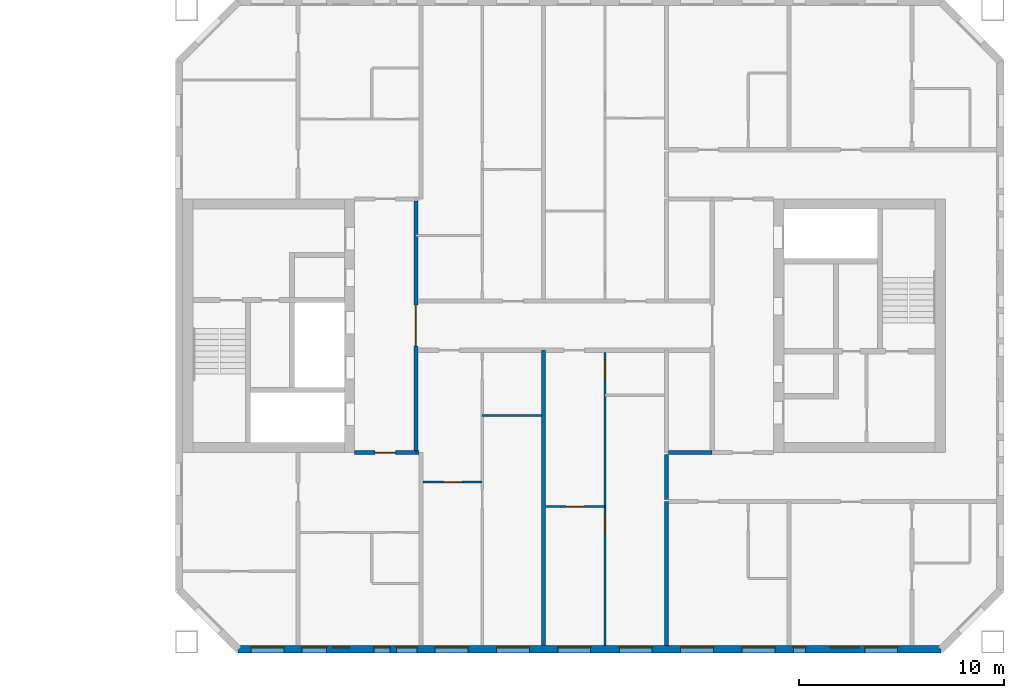
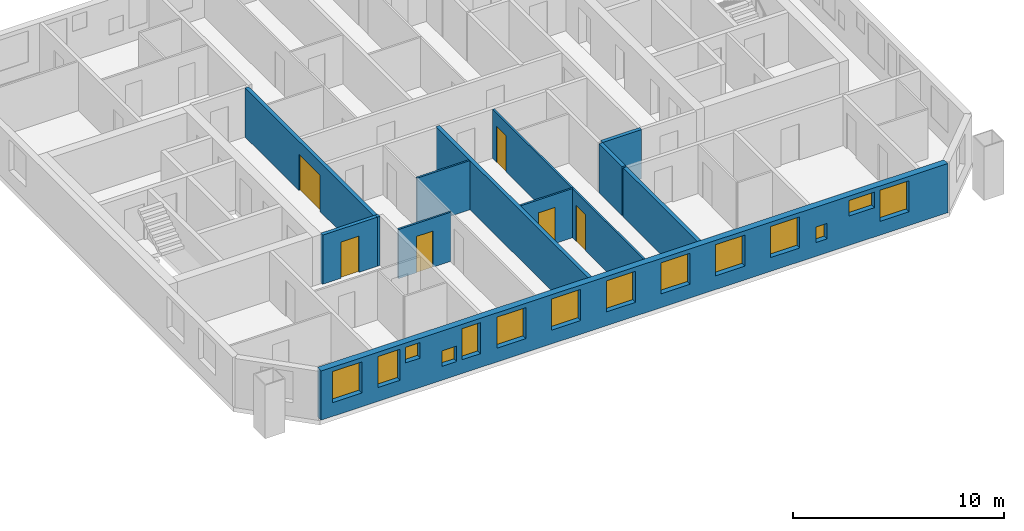
# One storey, part 9 of 15: 14 windows, 12 walls, 6 doors, 20 openings.
"""IFC4 building model written with IfcOpenShell, lengths in metres."""

import ifcopenshell
import ifcopenshell.guid

model = None  # the IFC model being written
_history = None  # IfcOwnerHistory: only IFC2X3 demands one
_inside = {}  # id of a spatial element -> (the spatial element, [elements in it])
_under = {}  # id of a project, library or spatial element -> (it, [spatial elements below it])
_declared = {}  # id of a project -> (the project, [libraries it declares])
_typed = {}  # id of a type object -> (the type object, [elements of that type])
_made_of = {}  # id of a material, layer set ... -> (it, [elements and type objects made of it])


def new_model(schema):
    """Start an empty IFC model of exactly this schema.

    Asked for "IFC4X3", IfcOpenShell would pick the latest addendum, in which some entities
    have other attributes; the version numbers below select the first issue.
    IFC2X3 requires an IfcOwnerHistory on every rooted entity: one is made here for all.
    """
    global model, _history
    if schema == "IFC4X3":
        model = ifcopenshell.file(schema_version=(4, 3, 0, 0))
    else:
        model = ifcopenshell.file(schema=schema)
    _inside.clear()
    _under.clear()
    _declared.clear()
    _typed.clear()
    _made_of.clear()
    _history = None
    if model.schema == "IFC2X3":
        org = make("IfcOrganization", Name="unknown")
        user = make(
            "IfcPersonAndOrganization",
            ThePerson=make("IfcPerson", FamilyName="unknown"),
            TheOrganization=org,
        )
        app = make(
            "IfcApplication",
            ApplicationDeveloper=org,
            Version="unknown",
            ApplicationFullName="unknown",
            ApplicationIdentifier="unknown",
        )
        _history = make(
            "IfcOwnerHistory",
            OwningUser=user,
            OwningApplication=app,
            ChangeAction="ADDED",
            CreationDate=0,
        )
    return model


def make(cls, **values):
    """One entity of the class cls with the attributes given. An attribute that is None is left unset."""
    return model.create_entity(
        cls, **{name: value for name, value in values.items() if value is not None}
    )


def rooted(cls, **values):
    """An entity with a GlobalId (a new one), such as an element, a storey or a relation."""
    return make(cls, GlobalId=ifcopenshell.guid.new(), OwnerHistory=_history, **values)


def si_unit(unit_type, name, prefix=None):
    """IfcSIUnit, for example si_unit("LENGTHUNIT", "METRE", prefix="MILLI")."""
    return make("IfcSIUnit", UnitType=unit_type, Prefix=prefix, Name=name)


def assignment(units):
    """IfcUnitAssignment: the units of a project."""
    return None if units is None else make("IfcUnitAssignment", Units=units)


def point(xyz):
    """IfcCartesianPoint."""
    return None if xyz is None else make("IfcCartesianPoint", Coordinates=xyz)


def direction(xyz):
    """IfcDirection."""
    return None if xyz is None else make("IfcDirection", DirectionRatios=xyz)


def frame(location, z_axis=None, x_axis=None):
    """IfcAxis2Placement3D, a coordinate frame: its origin and axes. An axis left out is left unset."""
    return make(
        "IfcAxis2Placement3D",
        Location=point(location),
        Axis=direction(z_axis),
        RefDirection=direction(x_axis),
    )


def frame_2d(location, x_axis=None):
    """IfcAxis2Placement2D, a coordinate frame in the plane: its origin and x axis."""
    return make(
        "IfcAxis2Placement2D", Location=point(location), RefDirection=direction(x_axis)
    )


def origin():
    """The frame at (0, 0, 0) with its axes left unset."""
    return frame((0.0, 0.0, 0.0))


def place(relative_to, where):
    """IfcLocalPlacement: puts the frame where relative to a parent placement (None: the world)."""
    return make(
        "IfcLocalPlacement", PlacementRelTo=relative_to, RelativePlacement=where
    )


def context(
    kind, dimensions, precision=None, world=None, true_north=None, identifier=None
):
    """IfcGeometricRepresentationContext, for example the 3D "Model" context."""
    return make(
        "IfcGeometricRepresentationContext",
        ContextIdentifier=identifier,
        ContextType=kind,
        CoordinateSpaceDimension=dimensions,
        Precision=precision,
        WorldCoordinateSystem=world,
        TrueNorth=true_north,
    )


def subcontext(parent, identifier, kind, view, scale=None):
    """IfcGeometricRepresentationSubContext, for example "Body" below "Model"."""
    return make(
        "IfcGeometricRepresentationSubContext",
        ContextIdentifier=identifier,
        ContextType=kind,
        ParentContext=parent,
        TargetScale=scale,
        TargetView=view,
    )


def project(units=None, contexts=None):
    """IfcProject with its units and contexts."""
    return rooted(
        "IfcProject",
        Name="project",
        RepresentationContexts=contexts,
        UnitsInContext=assignment(units),
    )


def spatial(cls, under=None, at=None, **own):
    """A site, building, storey or space (cls), placed at a placement, below another one or the project."""
    s = rooted(cls, ObjectPlacement=at, **own)
    if under is not None:
        _under.setdefault(under.id(), (under, []))[1].append(s)
    return s


def profile(cls, at=None, kind="AREA", **sizes):
    """A parametric profile (cls). Its sizes go by their IFC names, for example OverallWidth=200.0."""
    return make(cls, ProfileType=kind, Position=at, **sizes)


def rectangle(**sizes):
    """IfcRectangleProfileDef."""
    return profile("IfcRectangleProfileDef", **sizes)


def extrude(swept, where, along, depth):
    """IfcExtrudedAreaSolid: the profile swept, set in the frame where, extruded along a direction by depth."""
    return make(
        "IfcExtrudedAreaSolid",
        SweptArea=swept,
        Position=where,
        ExtrudedDirection=direction(along),
        Depth=depth,
    )


def shape(context_of_items, identifier, shape_type, items):
    """IfcShapeRepresentation: the items that make up one representation, for example the "Body"."""
    return make(
        "IfcShapeRepresentation",
        ContextOfItems=context_of_items,
        RepresentationIdentifier=identifier,
        RepresentationType=shape_type,
        Items=items,
    )


def material(Name=None, Category=None):
    """IfcMaterial."""
    return make("IfcMaterial", Name=Name, Category=Category)


def layer(
    of_material, thickness, ventilated=None, Name=None, Category=None, Priority=None
):
    """IfcMaterialLayer: one layer of a wall or slab, of a material (None: an air gap)."""
    return make(
        "IfcMaterialLayer",
        Material=of_material,
        LayerThickness=thickness,
        IsVentilated=ventilated,
        Name=Name,
        Category=Category,
        Priority=Priority,
    )


def layer_set(layers, Name=None):
    """IfcMaterialLayerSet."""
    return make("IfcMaterialLayerSet", MaterialLayers=layers, LayerSetName=Name)


def made_of(thing, what):
    """Note that an element or type object is made of a material, layer set ...; save() writes the relation."""
    if what is not None:
        _made_of.setdefault(what.id(), (what, []))[1].append(thing)
    return thing


def type_object(cls, material=None, **own):
    """A type object (cls), such as IfcWallType, which elements share."""
    return made_of(rooted(cls, **own), material)


def element(
    cls,
    number,
    at=None,
    inside=None,
    cuts=None,
    type_object=None,
    material=None,
    context=None,
    identifier="Body",
    shape_type=None,
    held_by="IfcProductDefinitionShape",
    body=None,
    shapes=None,
    **own,
):
    """One element of the class cls, such as IfcWall. Its Tag is "e" and its number.

    at: its placement. inside: the storey or other place that contains it. cuts: it is an
    opening in that element (IfcRelVoidsElement). A single representation is given by context,
    identifier, shape_type and body (its items); several are given by shapes. held_by: the class
    of the entity that holds the representations. save() writes the other relations.
    """
    e = rooted(cls, Tag="e%d" % number, ObjectPlacement=at, **own)
    if body is not None:
        shapes = [shape(context, identifier, shape_type, body)]
    if shapes is not None:
        e.Representation = make(held_by, Representations=shapes)
    if inside is not None:
        _inside.setdefault(inside.id(), (inside, []))[1].append(e)
    if cuts is not None:
        rooted(
            "IfcRelVoidsElement", RelatingBuildingElement=cuts, RelatedOpeningElement=e
        )
    if type_object is not None:
        _typed.setdefault(type_object.id(), (type_object, []))[1].append(e)
    return made_of(e, material)


def fill(opening, filler):
    """IfcRelFillsElement: the door or window that sits in an opening."""
    return rooted(
        "IfcRelFillsElement",
        RelatingOpeningElement=opening,
        RelatedBuildingElement=filler,
    )


def aggregate(whole, parts):
    """IfcRelAggregates: a whole, such as a stair, and the parts it consists of."""
    return rooted("IfcRelAggregates", RelatingObject=whole, RelatedObjects=parts)


def save(model, path):
    """Write the relations noted so far, then the file.

    IfcRelAggregates (storeys below a building ...), IfcRelContainedInSpatialStructure (elements
    in a storey), IfcRelDefinesByType, IfcRelAssociatesMaterial and IfcRelDeclares: one each for
    every whole, place, type object, material and project.
    """
    for whole, parts in _under.values():
        aggregate(whole, parts)
    for where, things in _inside.values():
        rooted(
            "IfcRelContainedInSpatialStructure",
            RelatedElements=things,
            RelatingStructure=where,
        )
    for kind, things in _typed.values():
        rooted("IfcRelDefinesByType", RelatedObjects=things, RelatingType=kind)
    for what, things in _made_of.values():
        rooted("IfcRelAssociatesMaterial", RelatedObjects=things, RelatingMaterial=what)
    for by, libraries in _declared.values():
        rooted("IfcRelDeclares", RelatingContext=by, RelatedDefinitions=libraries)
    model.write(path)


model = new_model("IFC4")

# Units and contexts
model_context = context("Model", 3, precision=1e-05, world=origin(), true_north=direction((0.0, 1.0)))
body_context = subcontext(model_context, "Body", "Model", "MODEL_VIEW")
ifc_project = project(units=[si_unit("LENGTHUNIT", "METRE"), si_unit("AREAUNIT", "SQUARE_METRE"), si_unit("VOLUMEUNIT", "CUBIC_METRE"), si_unit("PLANEANGLEUNIT", "RADIAN"), si_unit("MASSUNIT", "GRAM", prefix="KILO")], contexts=[model_context])

# Site, building, storey
site_placement = place(None, origin())
site = spatial("IfcSite", under=ifc_project, at=site_placement, CompositionType="ELEMENT")
building_placement = place(site_placement, origin())
building = spatial("IfcBuilding", under=site, at=building_placement, Name="Tuart Gate Housing", CompositionType="ELEMENT")
storey_placement = place(building_placement, frame((0.0, 0.0, 154.699951171875)))
storey = spatial("IfcBuildingStorey", under=building, at=storey_placement, Name="L43", CompositionType="ELEMENT", Elevation=154.699951171875)

# Wall, openings, windows
ifc_material_1 = material(Name="Brick", Category="masonry")
ifc_layer_1 = layer(ifc_material_1, 0.360107421875)
ifc_layer_set_1 = layer_set([ifc_layer_1], Name="Brick pier and spandrel wall 360")
wall_type_1 = type_object("IfcWallType", Name="Brick pier and spandrel wall 360", PredefinedType="STANDARD", material=ifc_layer_set_1)
wall_1_placement = place(storey_placement, frame((134.07470703125, 54.179931640625, 0.0), z_axis=(0.0, 0.0, 1.0), x_axis=(1.0, 0.0, 0.0)))
wall_1 = element("IfcWall", 1, at=wall_1_placement, inside=storey, type_object=wall_type_1, Name="External wall B-S L43", PredefinedType="STANDARD", context=body_context, shape_type="SweptSolid", body=[
    extrude(rectangle(XDim=34.350830078125, YDim=0.360107421875, at=frame_2d((17.17529296875, 0.0))), origin(), (0.0, 0.0, 1.0), 2.85009765625),
])
opening_1_placement = place(wall_1_placement, frame((0.62548828125, 0.0, 0.800048828125)))
opening_1 = element("IfcOpeningElement", 2, at=opening_1_placement, cuts=wall_1, Name="Opening W1", PredefinedType="OPENING", context=body_context, shape_type="SweptSolid", body=[
    extrude(rectangle(XDim=1.60009765625, YDim=1.800048828125, at=frame_2d((0.800048828125, 0.89990234375))), frame((0.0, 0.18994140625, 0.0), z_axis=(0.0, -1.0, 0.0), x_axis=(1.0, 0.0, 0.0)), (0.0, 0.0, 1.0), 0.380126953125),
])
opening_2_placement = place(wall_1_placement, frame((3.12548828125, 0.0, 0.800048828125)))
opening_2 = element("IfcOpeningElement", 3, at=opening_2_placement, cuts=wall_1, Name="Opening W1B", PredefinedType="OPENING", context=body_context, shape_type="SweptSolid", body=[
    extrude(rectangle(XDim=1.199951171875, YDim=1.800048828125, at=frame_2d((0.60009765625, 0.89990234375))), frame((0.0, 0.18994140625, 0.0), z_axis=(0.0, -1.0, 0.0), x_axis=(1.0, 0.0, 0.0)), (0.0, 0.0, 1.0), 0.380126953125),
])
opening_3_placement = place(wall_1_placement, frame((4.62548828125, 0.0, 1.699951171875)))
opening_3 = element("IfcOpeningElement", 4, at=opening_3_placement, cuts=wall_1, Name="Opening W1V", PredefinedType="OPENING", context=body_context, shape_type="SweptSolid", body=[
    extrude(rectangle(XDim=0.800048828125, YDim=0.89990234375, at=frame_2d((0.39990234375, 0.449951171875))), frame((0.0, 0.18994140625, 0.0), z_axis=(0.0, -1.0, 0.0), x_axis=(1.0, 0.0, 0.0)), (0.0, 0.0, 1.0), 0.380126953125),
])
opening_4_placement = place(wall_1_placement, frame((9.62548828125, 0.0, 0.800048828125)))
opening_4 = element("IfcOpeningElement", 5, at=opening_4_placement, cuts=wall_1, Name="Opening W1", PredefinedType="OPENING", context=body_context, shape_type="SweptSolid", body=[
    extrude(rectangle(XDim=1.60009765625, YDim=1.800048828125, at=frame_2d((0.800048828125, 0.89990234375))), frame((0.0, 0.18994140625, 0.0), z_axis=(0.0, -1.0, 0.0), x_axis=(1.0, 0.0, 0.0)), (0.0, 0.0, 1.0), 0.380126953125),
])
opening_5_placement = place(wall_1_placement, frame((12.62548828125, 0.0, 0.800048828125)))
opening_5 = element("IfcOpeningElement", 6, at=opening_5_placement, cuts=wall_1, Name="Opening W1", PredefinedType="OPENING", context=body_context, shape_type="SweptSolid", body=[
    extrude(rectangle(XDim=1.60009765625, YDim=1.800048828125, at=frame_2d((0.800048828125, 0.89990234375))), frame((0.0, 0.18994140625, 0.0), z_axis=(0.0, -1.0, 0.0), x_axis=(1.0, 0.0, 0.0)), (0.0, 0.0, 1.0), 0.380126953125),
])
opening_6_placement = place(wall_1_placement, frame((15.62548828125, 0.0, 0.800048828125)))
opening_6 = element("IfcOpeningElement", 7, at=opening_6_placement, cuts=wall_1, Name="Opening W1", PredefinedType="OPENING", context=body_context, shape_type="SweptSolid", body=[
    extrude(rectangle(XDim=1.60009765625, YDim=1.800048828125, at=frame_2d((0.800048828125, 0.89990234375))), frame((0.0, 0.18994140625, 0.0), z_axis=(0.0, -1.0, 0.0), x_axis=(1.0, 0.0, 0.0)), (0.0, 0.0, 1.0), 0.380126953125),
])
opening_7_placement = place(wall_1_placement, frame((18.62548828125, 0.0, 0.800048828125)))
opening_7 = element("IfcOpeningElement", 8, at=opening_7_placement, cuts=wall_1, Name="Opening W1", PredefinedType="OPENING", context=body_context, shape_type="SweptSolid", body=[
    extrude(rectangle(XDim=1.60009765625, YDim=1.800048828125, at=frame_2d((0.800048828125, 0.89990234375))), frame((0.0, 0.18994140625, 0.0), z_axis=(0.0, -1.0, 0.0), x_axis=(1.0, 0.0, 0.0)), (0.0, 0.0, 1.0), 0.380126953125),
])
opening_8_placement = place(wall_1_placement, frame((21.62548828125, 0.0, 0.800048828125)))
opening_8 = element("IfcOpeningElement", 9, at=opening_8_placement, cuts=wall_1, Name="Opening W1", PredefinedType="OPENING", context=body_context, shape_type="SweptSolid", body=[
    extrude(rectangle(XDim=1.60009765625, YDim=1.800048828125, at=frame_2d((0.800048828125, 0.89990234375))), frame((0.0, 0.18994140625, 0.0), z_axis=(0.0, -1.0, 0.0), x_axis=(1.0, 0.0, 0.0)), (0.0, 0.0, 1.0), 0.380126953125),
])
opening_9_placement = place(wall_1_placement, frame((24.62548828125, 0.0, 0.800048828125)))
opening_9 = element("IfcOpeningElement", 10, at=opening_9_placement, cuts=wall_1, Name="Opening W1", PredefinedType="OPENING", context=body_context, shape_type="SweptSolid", body=[
    extrude(rectangle(XDim=1.60009765625, YDim=1.800048828125, at=frame_2d((0.800048828125, 0.89990234375))), frame((0.0, 0.18994140625, 0.0), z_axis=(0.0, -1.0, 0.0), x_axis=(1.0, 0.0, 0.0)), (0.0, 0.0, 1.0), 0.380126953125),
])
opening_10_placement = place(wall_1_placement, frame((27.12548828125, 0.0, 0.800048828125)))
opening_10 = element("IfcOpeningElement", 11, at=opening_10_placement, cuts=wall_1, Name="Opening W1W", PredefinedType="OPENING", context=body_context, shape_type="SweptSolid", body=[
    extrude(rectangle(XDim=0.60009765625, YDim=0.89990234375, at=frame_2d((0.300048828125, 0.449951171875))), frame((0.0, 0.18994140625, 0.0), z_axis=(0.0, -1.0, 0.0), x_axis=(1.0, 0.0, 0.0)), (0.0, 0.0, 1.0), 0.380126953125),
])
opening_11_placement = place(wall_1_placement, frame((30.62548828125, 0.0, 0.800048828125)))
opening_11 = element("IfcOpeningElement", 12, at=opening_11_placement, cuts=wall_1, Name="Opening W1", PredefinedType="OPENING", context=body_context, shape_type="SweptSolid", body=[
    extrude(rectangle(XDim=1.60009765625, YDim=1.800048828125, at=frame_2d((0.800048828125, 0.89990234375))), frame((0.0, 0.18994140625, 0.0), z_axis=(0.0, -1.0, 0.0), x_axis=(1.0, 0.0, 0.0)), (0.0, 0.0, 1.0), 0.380126953125),
])
opening_12_placement = place(wall_1_placement, frame((6.62548828125, 0.0, 0.800048828125)))
opening_12 = element("IfcOpeningElement", 13, at=opening_12_placement, cuts=wall_1, Name="Opening W1V", PredefinedType="OPENING", context=body_context, shape_type="SweptSolid", body=[
    extrude(rectangle(XDim=0.800048828125, YDim=0.89990234375, at=frame_2d((0.39990234375, 0.449951171875))), frame((0.0, 0.18994140625, 0.0), z_axis=(0.0, -1.0, 0.0), x_axis=(1.0, 0.0, 0.0)), (0.0, 0.0, 1.0), 0.380126953125),
])
opening_13_placement = place(wall_1_placement, frame((7.725341796875, 0.0, 0.800048828125)))
opening_13 = element("IfcOpeningElement", 14, at=opening_13_placement, cuts=wall_1, Name="Opening W1C", PredefinedType="OPENING", context=body_context, shape_type="SweptSolid", body=[
    extrude(rectangle(XDim=1.0, YDim=1.800048828125, at=frame_2d((0.5, 0.89990234375))), frame((0.0, 0.18994140625, 0.0), z_axis=(0.0, -1.0, 0.0), x_axis=(1.0, 0.0, 0.0)), (0.0, 0.0, 1.0), 0.380126953125),
])
opening_14_placement = place(wall_1_placement, frame((28.92529296875, 0.0, 1.699951171875)))
opening_14 = element("IfcOpeningElement", 15, at=opening_14_placement, cuts=wall_1, Name="Opening W1S", PredefinedType="OPENING", context=body_context, shape_type="SweptSolid", body=[
    extrude(rectangle(XDim=1.39990234375, YDim=0.89990234375, at=frame_2d((0.699951171875, 0.449951171875))), frame((0.0, 0.18994140625, 0.0), z_axis=(0.0, -1.0, 0.0), x_axis=(1.0, 0.0, 0.0)), (0.0, 0.0, 1.0), 0.380126953125),
])
ifc_material_2 = material(Name="Aluminium frame with clear glass", Category="aluminium")
window_type_1 = type_object("IfcWindowType", Name="Punched window 1000 x 1800", PartitioningType="SINGLE_PANEL", PredefinedType="WINDOW", material=ifc_material_2)
window_1_placement = place(opening_13_placement, origin())
window_1 = element("IfcWindow", 16, at=window_1_placement, inside=storey, type_object=window_type_1, Name="Window W1C", OverallHeight=1.800048828125, OverallWidth=1.0, PartitioningType="SINGLE_PANEL", PredefinedType="WINDOW", context=body_context, shape_type="SweptSolid", body=[
    extrude(rectangle(XDim=1.0, YDim=1.800048828125, at=frame_2d((0.5, 0.89990234375))), frame((0.0, 0.150146484375, 0.0), z_axis=(0.0, -1.0, 0.0), x_axis=(1.0, 0.0, 0.0)), (0.0, 0.0, 1.0), 0.06005859375),
])
fill(opening_13, window_1)
ifc_material_3 = material(Name="Aluminium frame with clear glass", Category="aluminium")
window_type_2 = type_object("IfcWindowType", Name="Punched window 1200 x 1800", PartitioningType="SINGLE_PANEL", PredefinedType="WINDOW", material=ifc_material_3)
window_2_placement = place(opening_2_placement, origin())
window_2 = element("IfcWindow", 17, at=window_2_placement, inside=storey, type_object=window_type_2, Name="Window W1B", OverallHeight=1.800048828125, OverallWidth=1.199951171875, PartitioningType="SINGLE_PANEL", PredefinedType="WINDOW", context=body_context, shape_type="SweptSolid", body=[
    extrude(rectangle(XDim=1.199951171875, YDim=1.800048828125, at=frame_2d((0.60009765625, 0.89990234375))), frame((0.0, 0.150146484375, 0.0), z_axis=(0.0, -1.0, 0.0), x_axis=(1.0, 0.0, 0.0)), (0.0, 0.0, 1.0), 0.06005859375),
])
fill(opening_2, window_2)
ifc_material_4 = material(Name="Aluminium frame with clear glass", Category="aluminium")
window_type_3 = type_object("IfcWindowType", Name="Punched window 1400 x 900", PartitioningType="SINGLE_PANEL", PredefinedType="WINDOW", material=ifc_material_4)
window_3_placement = place(opening_14_placement, origin())
window_3 = element("IfcWindow", 18, at=window_3_placement, inside=storey, type_object=window_type_3, Name="Window W1S", OverallHeight=0.89990234375, OverallWidth=1.39990234375, PartitioningType="SINGLE_PANEL", PredefinedType="WINDOW", context=body_context, shape_type="SweptSolid", body=[
    extrude(rectangle(XDim=1.39990234375, YDim=0.89990234375, at=frame_2d((0.699951171875, 0.449951171875))), frame((0.0, 0.150146484375, 0.0), z_axis=(0.0, -1.0, 0.0), x_axis=(1.0, 0.0, 0.0)), (0.0, 0.0, 1.0), 0.06005859375),
])
fill(opening_14, window_3)
ifc_material_5 = material(Name="Aluminium frame with clear glass", Category="aluminium")
window_type_4 = type_object("IfcWindowType", Name="Punched window 1600 x 1800", PartitioningType="SINGLE_PANEL", PredefinedType="WINDOW", material=ifc_material_5)
window_4_placement = place(opening_1_placement, origin())
window_4 = element("IfcWindow", 19, at=window_4_placement, inside=storey, type_object=window_type_4, Name="Window W1", OverallHeight=1.800048828125, OverallWidth=1.60009765625, PartitioningType="SINGLE_PANEL", PredefinedType="WINDOW", context=body_context, shape_type="SweptSolid", body=[
    extrude(rectangle(XDim=1.60009765625, YDim=1.800048828125, at=frame_2d((0.800048828125, 0.89990234375))), frame((0.0, 0.150146484375, 0.0), z_axis=(0.0, -1.0, 0.0), x_axis=(1.0, 0.0, 0.0)), (0.0, 0.0, 1.0), 0.06005859375),
])
fill(opening_1, window_4)
window_5_placement = place(opening_4_placement, origin())
window_5 = element("IfcWindow", 20, at=window_5_placement, inside=storey, type_object=window_type_4, Name="Window W1", OverallHeight=1.800048828125, OverallWidth=1.60009765625, PartitioningType="SINGLE_PANEL", PredefinedType="WINDOW", context=body_context, shape_type="SweptSolid", body=[
    extrude(rectangle(XDim=1.60009765625, YDim=1.800048828125, at=frame_2d((0.800048828125, 0.89990234375))), frame((0.0, 0.150146484375, 0.0), z_axis=(0.0, -1.0, 0.0), x_axis=(1.0, 0.0, 0.0)), (0.0, 0.0, 1.0), 0.06005859375),
])
fill(opening_4, window_5)
window_6_placement = place(opening_5_placement, origin())
window_6 = element("IfcWindow", 21, at=window_6_placement, inside=storey, type_object=window_type_4, Name="Window W1", OverallHeight=1.800048828125, OverallWidth=1.60009765625, PartitioningType="SINGLE_PANEL", PredefinedType="WINDOW", context=body_context, shape_type="SweptSolid", body=[
    extrude(rectangle(XDim=1.60009765625, YDim=1.800048828125, at=frame_2d((0.800048828125, 0.89990234375))), frame((0.0, 0.150146484375, 0.0), z_axis=(0.0, -1.0, 0.0), x_axis=(1.0, 0.0, 0.0)), (0.0, 0.0, 1.0), 0.06005859375),
])
fill(opening_5, window_6)
window_7_placement = place(opening_6_placement, origin())
window_7 = element("IfcWindow", 22, at=window_7_placement, inside=storey, type_object=window_type_4, Name="Window W1", OverallHeight=1.800048828125, OverallWidth=1.60009765625, PartitioningType="SINGLE_PANEL", PredefinedType="WINDOW", context=body_context, shape_type="SweptSolid", body=[
    extrude(rectangle(XDim=1.60009765625, YDim=1.800048828125, at=frame_2d((0.800048828125, 0.89990234375))), frame((0.0, 0.150146484375, 0.0), z_axis=(0.0, -1.0, 0.0), x_axis=(1.0, 0.0, 0.0)), (0.0, 0.0, 1.0), 0.06005859375),
])
fill(opening_6, window_7)
window_8_placement = place(opening_7_placement, origin())
window_8 = element("IfcWindow", 23, at=window_8_placement, inside=storey, type_object=window_type_4, Name="Window W1", OverallHeight=1.800048828125, OverallWidth=1.60009765625, PartitioningType="SINGLE_PANEL", PredefinedType="WINDOW", context=body_context, shape_type="SweptSolid", body=[
    extrude(rectangle(XDim=1.60009765625, YDim=1.800048828125, at=frame_2d((0.800048828125, 0.89990234375))), frame((0.0, 0.150146484375, 0.0), z_axis=(0.0, -1.0, 0.0), x_axis=(1.0, 0.0, 0.0)), (0.0, 0.0, 1.0), 0.06005859375),
])
fill(opening_7, window_8)
window_9_placement = place(opening_8_placement, origin())
window_9 = element("IfcWindow", 24, at=window_9_placement, inside=storey, type_object=window_type_4, Name="Window W1", OverallHeight=1.800048828125, OverallWidth=1.60009765625, PartitioningType="SINGLE_PANEL", PredefinedType="WINDOW", context=body_context, shape_type="SweptSolid", body=[
    extrude(rectangle(XDim=1.60009765625, YDim=1.800048828125, at=frame_2d((0.800048828125, 0.89990234375))), frame((0.0, 0.150146484375, 0.0), z_axis=(0.0, -1.0, 0.0), x_axis=(1.0, 0.0, 0.0)), (0.0, 0.0, 1.0), 0.06005859375),
])
fill(opening_8, window_9)
window_10_placement = place(opening_9_placement, origin())
window_10 = element("IfcWindow", 25, at=window_10_placement, inside=storey, type_object=window_type_4, Name="Window W1", OverallHeight=1.800048828125, OverallWidth=1.60009765625, PartitioningType="SINGLE_PANEL", PredefinedType="WINDOW", context=body_context, shape_type="SweptSolid", body=[
    extrude(rectangle(XDim=1.60009765625, YDim=1.800048828125, at=frame_2d((0.800048828125, 0.89990234375))), frame((0.0, 0.150146484375, 0.0), z_axis=(0.0, -1.0, 0.0), x_axis=(1.0, 0.0, 0.0)), (0.0, 0.0, 1.0), 0.06005859375),
])
fill(opening_9, window_10)
window_11_placement = place(opening_11_placement, origin())
window_11 = element("IfcWindow", 26, at=window_11_placement, inside=storey, type_object=window_type_4, Name="Window W1", OverallHeight=1.800048828125, OverallWidth=1.60009765625, PartitioningType="SINGLE_PANEL", PredefinedType="WINDOW", context=body_context, shape_type="SweptSolid", body=[
    extrude(rectangle(XDim=1.60009765625, YDim=1.800048828125, at=frame_2d((0.800048828125, 0.89990234375))), frame((0.0, 0.150146484375, 0.0), z_axis=(0.0, -1.0, 0.0), x_axis=(1.0, 0.0, 0.0)), (0.0, 0.0, 1.0), 0.06005859375),
])
fill(opening_11, window_11)
ifc_material_6 = material(Name="Aluminium frame with clear glass", Category="aluminium")
window_type_5 = type_object("IfcWindowType", Name="Punched window 600 x 900", PartitioningType="SINGLE_PANEL", PredefinedType="WINDOW", material=ifc_material_6)
window_12_placement = place(opening_10_placement, origin())
window_12 = element("IfcWindow", 27, at=window_12_placement, inside=storey, type_object=window_type_5, Name="Window W1W", OverallHeight=0.89990234375, OverallWidth=0.60009765625, PartitioningType="SINGLE_PANEL", PredefinedType="WINDOW", context=body_context, shape_type="SweptSolid", body=[
    extrude(rectangle(XDim=0.60009765625, YDim=0.89990234375, at=frame_2d((0.300048828125, 0.449951171875))), frame((0.0, 0.150146484375, 0.0), z_axis=(0.0, -1.0, 0.0), x_axis=(1.0, 0.0, 0.0)), (0.0, 0.0, 1.0), 0.06005859375),
])
fill(opening_10, window_12)
ifc_material_7 = material(Name="Aluminium frame with clear glass", Category="aluminium")
window_type_6 = type_object("IfcWindowType", Name="Punched window 800 x 900", PartitioningType="SINGLE_PANEL", PredefinedType="WINDOW", material=ifc_material_7)
window_13_placement = place(opening_3_placement, origin())
window_13 = element("IfcWindow", 28, at=window_13_placement, inside=storey, type_object=window_type_6, Name="Window W1V", OverallHeight=0.89990234375, OverallWidth=0.800048828125, PartitioningType="SINGLE_PANEL", PredefinedType="WINDOW", context=body_context, shape_type="SweptSolid", body=[
    extrude(rectangle(XDim=0.800048828125, YDim=0.89990234375, at=frame_2d((0.39990234375, 0.449951171875))), frame((0.0, 0.150146484375, 0.0), z_axis=(0.0, -1.0, 0.0), x_axis=(1.0, 0.0, 0.0)), (0.0, 0.0, 1.0), 0.06005859375),
])
fill(opening_3, window_13)
window_14_placement = place(opening_12_placement, origin())
window_14 = element("IfcWindow", 29, at=window_14_placement, inside=storey, type_object=window_type_6, Name="Window W1V", OverallHeight=0.89990234375, OverallWidth=0.800048828125, PartitioningType="SINGLE_PANEL", PredefinedType="WINDOW", context=body_context, shape_type="SweptSolid", body=[
    extrude(rectangle(XDim=0.800048828125, YDim=0.89990234375, at=frame_2d((0.39990234375, 0.449951171875))), frame((0.0, 0.150146484375, 0.0), z_axis=(0.0, -1.0, 0.0), x_axis=(1.0, 0.0, 0.0)), (0.0, 0.0, 1.0), 0.06005859375),
])
fill(opening_12, window_14)

# Walls
ifc_material_8 = material(Name="Concrete masonry 15 MPa", Category="masonry")
ifc_layer_2 = layer(ifc_material_8, 0.199951171875)
ifc_layer_set_2 = layer_set([ifc_layer_2], Name="Corridor wall masonry 200")
wall_type_2 = type_object("IfcWallType", Name="Corridor wall masonry 200", PredefinedType="PARTITIONING", material=ifc_layer_set_2)
wall_2_placement = place(storey_placement, frame((155.10009765625, 63.800048828125, 0.0), z_axis=(0.0, 0.0, 1.0), x_axis=(1.0, 0.0, 0.0)))
element("IfcWall", 30, at=wall_2_placement, inside=storey, type_object=wall_type_2, Name="Corridor wall masonry 200", PredefinedType="PARTITIONING", context=body_context, shape_type="SweptSolid", body=[
    extrude(rectangle(XDim=2.139892578125, YDim=0.199951171875, at=frame_2d((1.06982421875, 0.0))), origin(), (0.0, 0.0, 1.0), 2.85009765625),
])
wall_3_placement = place(storey_placement, frame((155.0, 61.5, 0.0), z_axis=(0.0, 0.0, 1.0), x_axis=(0.0, 1.0, 0.0)))
element("IfcWall", 31, at=wall_3_placement, inside=storey, type_object=wall_type_2, Name="Corridor wall masonry 200", PredefinedType="PARTITIONING", context=body_context, shape_type="SweptSolid", body=[
    extrude(rectangle(XDim=2.199951171875, YDim=0.199951171875, at=frame_2d((1.10009765625, 0.0))), origin(), (0.0, 0.0, 1.0), 2.85009765625),
])

# Wall, opening, door
ifc_material_9 = material(Name="Concrete masonry 15 MPa", Category="masonry")
ifc_layer_3 = layer(ifc_material_9, 0.199951171875)
ifc_layer_set_3 = layer_set([ifc_layer_3], Name="Enclosure wall masonry 200")
wall_type_3 = type_object("IfcWallType", Name="Enclosure wall masonry 200", PredefinedType="PARTITIONING", material=ifc_layer_set_3)
wall_4_placement = place(storey_placement, frame((139.760009765625, 63.800048828125, 0.0), z_axis=(0.0, 0.0, 1.0), x_axis=(1.0, 0.0, 0.0)))
wall_4 = element("IfcWall", 32, at=wall_4_placement, inside=storey, type_object=wall_type_3, Name="Enclosure wall masonry 200", PredefinedType="PARTITIONING", context=body_context, shape_type="SweptSolid", body=[
    extrude(rectangle(XDim=3.0, YDim=0.199951171875, at=frame_2d((1.5, 0.0))), origin(), (0.0, 0.0, 1.0), 2.85009765625),
])
opening_15_placement = place(wall_4_placement, frame((1.0, 0.0, 0.0)))
opening_15 = element("IfcOpeningElement", 33, at=opening_15_placement, cuts=wall_4, Name="Opening D1606", PredefinedType="OPENING", context=body_context, shape_type="SweptSolid", body=[
    extrude(rectangle(XDim=1.0, YDim=2.10009765625, at=frame_2d((0.5, 1.050048828125))), frame((0.0, 0.10986328125, 0.0), z_axis=(0.0, -1.0, 0.0), x_axis=(1.0, 0.0, 0.0)), (0.0, 0.0, 1.0), 0.219970703125),
])
ifc_material_10 = material(Name="Timber door leaf in steel frame", Category="steel")
door_type_1 = type_object("IfcDoorType", Name="Flat entrance door 1000", OperationType="SINGLE_SWING_LEFT", PredefinedType="DOOR", material=ifc_material_10)
door_1_placement = place(opening_15_placement, frame((1.0, 0.0, 0.0), z_axis=(0.0, 0.0, 1.0), x_axis=(-1.0, 0.0, 0.0)))
door_1 = element("IfcDoor", 34, at=door_1_placement, inside=storey, type_object=door_type_1, Name="Flat entrance door", OperationType="SINGLE_SWING_LEFT", OverallHeight=2.10009765625, OverallWidth=1.0, PredefinedType="DOOR", context=body_context, shape_type="SweptSolid", body=[
    extrude(rectangle(XDim=1.0, YDim=2.10009765625, at=frame_2d((0.5, 1.050048828125))), frame((0.0, 0.025146484375, 0.0), z_axis=(0.0, -1.0, 0.0), x_axis=(1.0, 0.0, 0.0)), (0.0, 0.0, 1.0), 0.050048828125),
])
fill(opening_15, door_1)

ifc_material_11 = material(Name="Plasterboard partition")
ifc_layer_4 = layer(ifc_material_11, 0.199951171875)
ifc_layer_set_4 = layer_set([ifc_layer_4], Name="Lobby wall 200")
wall_type_4 = type_object("IfcWallType", Name="Lobby wall 200", PredefinedType="PARTITIONING", material=ifc_layer_set_4)
wall_5_placement = place(storey_placement, frame((142.760009765625, 63.89990234375, 0.0), z_axis=(0.0, 0.0, 1.0), x_axis=(0.0, 1.0, 0.0)))
wall_5 = element("IfcWall", 35, at=wall_5_placement, inside=storey, type_object=wall_type_4, Name="Lift lobby wall BG", PredefinedType="PARTITIONING", context=body_context, shape_type="SweptSolid", body=[
    extrude(rectangle(XDim=12.2001953125, YDim=0.199951171875, at=frame_2d((6.10009765625, 0.0))), origin(), (0.0, 0.0, 1.0), 2.85009765625),
])
opening_16_placement = place(wall_5_placement, frame((5.10009765625, 0.0, 0.0)))
opening_16 = element("IfcOpeningElement", 36, at=opening_16_placement, cuts=wall_5, Name="Opening D1596", PredefinedType="OPENING", context=body_context, shape_type="SweptSolid", body=[
    extrude(rectangle(XDim=2.0, YDim=2.10009765625, at=frame_2d((1.0, 1.050048828125))), frame((0.0, 0.10986328125, 0.0), z_axis=(0.0, -1.0, 0.0), x_axis=(1.0, 0.0, 0.0)), (0.0, 0.0, 1.0), 0.219970703125),
])
ifc_material_12 = material(Name="Steel fire door", Category="steel")
door_type_2 = type_object("IfcDoorType", Name="Smoke door 2000 x 2100", OperationType="DOUBLE_DOOR_SINGLE_SWING", PredefinedType="DOOR", material=ifc_material_12)
door_2_placement = place(opening_16_placement, origin())
door_2 = element("IfcDoor", 37, at=door_2_placement, inside=storey, type_object=door_type_2, Name="Lift lobby smoke door BG", OperationType="DOUBLE_DOOR_SINGLE_SWING", OverallHeight=2.10009765625, OverallWidth=2.0, PredefinedType="DOOR", context=body_context, shape_type="SweptSolid", body=[
    extrude(rectangle(XDim=2.0, YDim=2.10009765625, at=frame_2d((1.0, 1.050048828125))), frame((0.0, 0.02490234375, 0.0), z_axis=(0.0, -1.0, 0.0), x_axis=(1.0, 0.0, 0.0)), (0.0, 0.0, 1.0), 0.050048828125),
])
fill(opening_16, door_2)

ifc_material_13 = material(Name="Gypsum board on steel studs", Category="steel")
ifc_layer_5 = layer(ifc_material_13, 0.10009765625)
ifc_layer_set_5 = layer_set([ifc_layer_5], Name="Partition 100")
wall_type_5 = type_object("IfcWallType", Name="Partition 100", PredefinedType="PARTITIONING", material=ifc_layer_set_5)
wall_6_placement = place(storey_placement, frame((149.10009765625, 61.159912109375, 0.0), z_axis=(0.0, 0.0, 1.0), x_axis=(1.0, 0.0, 0.0)))
wall_6 = element("IfcWall", 38, at=wall_6_placement, inside=storey, type_object=wall_type_5, Name="Partition 100", PredefinedType="PARTITIONING", context=body_context, shape_type="SweptSolid", body=[
    extrude(rectangle(XDim=2.89990234375, YDim=0.10009765625, at=frame_2d((1.449951171875, 0.0))), origin(), (0.0, 0.0, 1.0), 2.85009765625),
])
opening_17_placement = place(wall_6_placement, frame((1.0, 0.0, 0.0)))
opening_17 = element("IfcOpeningElement", 39, at=opening_17_placement, cuts=wall_6, Name="Opening D1615", PredefinedType="OPENING", context=body_context, shape_type="SweptSolid", body=[
    extrude(rectangle(XDim=0.89990234375, YDim=2.10009765625, at=frame_2d((0.449951171875, 1.050048828125))), frame((0.0, 0.06005859375, 0.0), z_axis=(0.0, -1.0, 0.0), x_axis=(1.0, 0.0, 0.0)), (0.0, 0.0, 1.0), 0.1201171875),
])
ifc_material_14 = material(Name="Timber door leaf in steel frame", Category="steel")
door_type_3 = type_object("IfcDoorType", Name="Internal door 900 RH", OperationType="SINGLE_SWING_RIGHT", PredefinedType="DOOR", material=ifc_material_14)
door_3_placement = place(opening_17_placement, origin())
door_3 = element("IfcDoor", 40, at=door_3_placement, inside=storey, type_object=door_type_3, Name="Internal door", OperationType="SINGLE_SWING_RIGHT", OverallHeight=2.10009765625, OverallWidth=0.89990234375, PredefinedType="DOOR", context=body_context, shape_type="SweptSolid", body=[
    extrude(rectangle(XDim=0.89990234375, YDim=2.10009765625, at=frame_2d((0.449951171875, 1.050048828125))), frame((0.0, 0.02490234375, 0.0), z_axis=(0.0, -1.0, 0.0), x_axis=(1.0, 0.0, 0.0)), (0.0, 0.0, 1.0), 0.050048828125),
])
fill(opening_17, door_3)

wall_7_placement = place(storey_placement, frame((143.10009765625, 62.360107421875, 0.0), z_axis=(0.0, 0.0, 1.0), x_axis=(1.0, 0.0, 0.0)))
wall_7 = element("IfcWall", 41, at=wall_7_placement, inside=storey, type_object=wall_type_5, Name="Partition 100", PredefinedType="PARTITIONING", context=body_context, shape_type="SweptSolid", body=[
    extrude(rectangle(XDim=2.89990234375, YDim=0.10009765625, at=frame_2d((1.449951171875, 0.0))), origin(), (0.0, 0.0, 1.0), 2.85009765625),
])
opening_18_placement = place(wall_7_placement, frame((1.0, 0.0, 0.0)))
opening_18 = element("IfcOpeningElement", 42, at=opening_18_placement, cuts=wall_7, Name="Opening D1608", PredefinedType="OPENING", context=body_context, shape_type="SweptSolid", body=[
    extrude(rectangle(XDim=0.89990234375, YDim=2.10009765625, at=frame_2d((0.449951171875, 1.050048828125))), frame((0.0, 0.06005859375, 0.0), z_axis=(0.0, -1.0, 0.0), x_axis=(1.0, 0.0, 0.0)), (0.0, 0.0, 1.0), 0.1201171875),
])
door_4_placement = place(opening_18_placement, origin())
door_4 = element("IfcDoor", 43, at=door_4_placement, inside=storey, type_object=door_type_3, Name="Internal door", OperationType="SINGLE_SWING_RIGHT", OverallHeight=2.10009765625, OverallWidth=0.89990234375, PredefinedType="DOOR", context=body_context, shape_type="SweptSolid", body=[
    extrude(rectangle(XDim=0.89990234375, YDim=2.10009765625, at=frame_2d((0.449951171875, 1.050048828125))), frame((0.0, 0.02490234375, 0.0), z_axis=(0.0, -1.0, 0.0), x_axis=(1.0, 0.0, 0.0)), (0.0, 0.0, 1.0), 0.050048828125),
])
fill(opening_18, door_4)

# Wall
wall_8_placement = place(storey_placement, frame((146.0, 65.60009765625, 0.0), z_axis=(0.0, 0.0, 1.0), x_axis=(1.0, 0.0, 0.0)))
element("IfcWall", 44, at=wall_8_placement, inside=storey, type_object=wall_type_5, Name="Partition 100", PredefinedType="PARTITIONING", context=body_context, shape_type="SweptSolid", body=[
    extrude(rectangle(XDim=2.89990234375, YDim=0.10009765625, at=frame_2d((1.449951171875, 0.0))), origin(), (0.0, 0.0, 1.0), 2.85009765625),
])

# Wall, openings, doors
wall_9_placement = place(storey_placement, frame((152.0, 54.360107421875, 0.0), z_axis=(0.0, 0.0, 1.0), x_axis=(0.0, 1.0, 0.0)))
wall_9 = element("IfcWall", 45, at=wall_9_placement, inside=storey, type_object=wall_type_5, Name="Partition 100", PredefinedType="PARTITIONING", context=body_context, shape_type="SweptSolid", body=[
    extrude(rectangle(XDim=14.33984375, YDim=0.10009765625, at=frame_2d((7.169921875, 0.0))), origin(), (0.0, 0.0, 1.0), 2.85009765625),
])
opening_19_placement = place(wall_9_placement, frame((5.5, 0.0, 0.0)))
opening_19 = element("IfcOpeningElement", 46, at=opening_19_placement, cuts=wall_9, Name="Opening D1612", PredefinedType="OPENING", context=body_context, shape_type="SweptSolid", body=[
    extrude(rectangle(XDim=0.89990234375, YDim=2.10009765625, at=frame_2d((0.449951171875, 1.050048828125))), frame((0.0, 0.06005859375, 0.0), z_axis=(0.0, -1.0, 0.0), x_axis=(1.0, 0.0, 0.0)), (0.0, 0.0, 1.0), 0.1201171875),
])
opening_20_placement = place(wall_9_placement, frame((13.0400390625, 0.0, 0.0)))
opening_20 = element("IfcOpeningElement", 47, at=opening_20_placement, cuts=wall_9, Name="Opening D1611", PredefinedType="OPENING", context=body_context, shape_type="SweptSolid", body=[
    extrude(rectangle(XDim=0.89990234375, YDim=2.10009765625, at=frame_2d((0.449951171875, 1.050048828125))), frame((0.0, 0.06005859375, 0.0), z_axis=(0.0, -1.0, 0.0), x_axis=(1.0, 0.0, 0.0)), (0.0, 0.0, 1.0), 0.1201171875),
])
ifc_material_15 = material(Name="Timber door leaf in steel frame", Category="steel")
door_type_4 = type_object("IfcDoorType", Name="Bathroom door 900", OperationType="SINGLE_SWING_LEFT", PredefinedType="DOOR", material=ifc_material_15)
door_5_placement = place(opening_20_placement, frame((0.89990234375, 0.0, 0.0), z_axis=(0.0, 0.0, 1.0), x_axis=(-1.0, 0.0, 0.0)))
door_5 = element("IfcDoor", 48, at=door_5_placement, inside=storey, type_object=door_type_4, Name="Bathroom door", OperationType="SINGLE_SWING_LEFT", OverallHeight=2.10009765625, OverallWidth=0.89990234375, PredefinedType="DOOR", context=body_context, shape_type="SweptSolid", body=[
    extrude(rectangle(XDim=0.89990234375, YDim=2.10009765625, at=frame_2d((0.449951171875, 1.050048828125))), frame((0.0, 0.025146484375, 0.0), z_axis=(0.0, -1.0, 0.0), x_axis=(1.0, 0.0, 0.0)), (0.0, 0.0, 1.0), 0.050048828125),
])
fill(opening_20, door_5)
door_6_placement = place(opening_19_placement, frame((0.89990234375, 0.0, 0.0), z_axis=(0.0, 0.0, 1.0), x_axis=(-1.0, 0.0, 0.0)))
door_6 = element("IfcDoor", 49, at=door_6_placement, inside=storey, type_object=door_type_3, Name="Internal door", OperationType="SINGLE_SWING_RIGHT", OverallHeight=2.10009765625, OverallWidth=0.89990234375, PredefinedType="DOOR", context=body_context, shape_type="SweptSolid", body=[
    extrude(rectangle(XDim=0.89990234375, YDim=2.10009765625, at=frame_2d((0.449951171875, 1.050048828125))), frame((0.0, 0.025146484375, 0.0), z_axis=(0.0, -1.0, 0.0), x_axis=(1.0, 0.0, 0.0)), (0.0, 0.0, 1.0), 0.050048828125),
])
fill(opening_19, door_6)

# Walls
ifc_material_16 = material(Name="Concrete C40", Category="concrete")
ifc_layer_6 = layer(ifc_material_16, 0.199951171875)
ifc_layer_set_6 = layer_set([ifc_layer_6], Name="Party wall concrete C40 200")
wall_type_6 = type_object("IfcWallType", Name="Party wall concrete C40 200", PredefinedType="SOLIDWALL", material=ifc_layer_set_6)
wall_10_placement = place(storey_placement, frame((149.0, 54.360107421875, 0.0), z_axis=(0.0, 0.0, 1.0), x_axis=(0.0, 1.0, 0.0)))
element("IfcWall", 50, at=wall_10_placement, inside=storey, type_object=wall_type_6, Name="Party wall concrete C40 200", PredefinedType="SOLIDWALL", context=body_context, shape_type="SweptSolid", body=[
    extrude(rectangle(XDim=14.43994140625, YDim=0.199951171875, at=frame_2d((7.219970703125, 0.0))), origin(), (0.0, 0.0, 1.0), 2.85009765625),
])
wall_11_placement = place(storey_placement, frame((155.0, 54.360107421875, 0.0), z_axis=(0.0, 0.0, 1.0), x_axis=(0.0, 1.0, 0.0)))
element("IfcWall", 51, at=wall_11_placement, inside=storey, type_object=wall_type_6, Name="Party wall concrete C40 200", PredefinedType="SOLIDWALL", context=body_context, shape_type="SweptSolid", body=[
    extrude(rectangle(XDim=7.039794921875, YDim=0.199951171875, at=frame_2d((3.52001953125, 0.0))), origin(), (0.0, 0.0, 1.0), 2.85009765625),
])
ifc_material_17 = material(Name="Concrete masonry 15 MPa", Category="masonry")
ifc_layer_7 = layer(ifc_material_17, 0.199951171875)
ifc_layer_set_7 = layer_set([ifc_layer_7], Name="Party wall masonry 200")
wall_type_7 = type_object("IfcWallType", Name="Party wall masonry 200", PredefinedType="PARTITIONING", material=ifc_layer_set_7)
wall_12_placement = place(storey_placement, frame((142.760009765625, 63.800048828125, 0.0), z_axis=(0.0, 0.0, 1.0), x_axis=(1.0, 0.0, 0.0)))
element("IfcWall", 52, at=wall_12_placement, inside=storey, type_object=wall_type_7, Name="Party wall masonry 200", PredefinedType="PARTITIONING", context=body_context, shape_type="SweptSolid", body=[
    extrude(rectangle(XDim=0.139892578125, YDim=0.199951171875, at=frame_2d((0.06982421875, 0.0))), origin(), (0.0, 0.0, 1.0), 2.85009765625),
])

save(model, "model.ifc")
